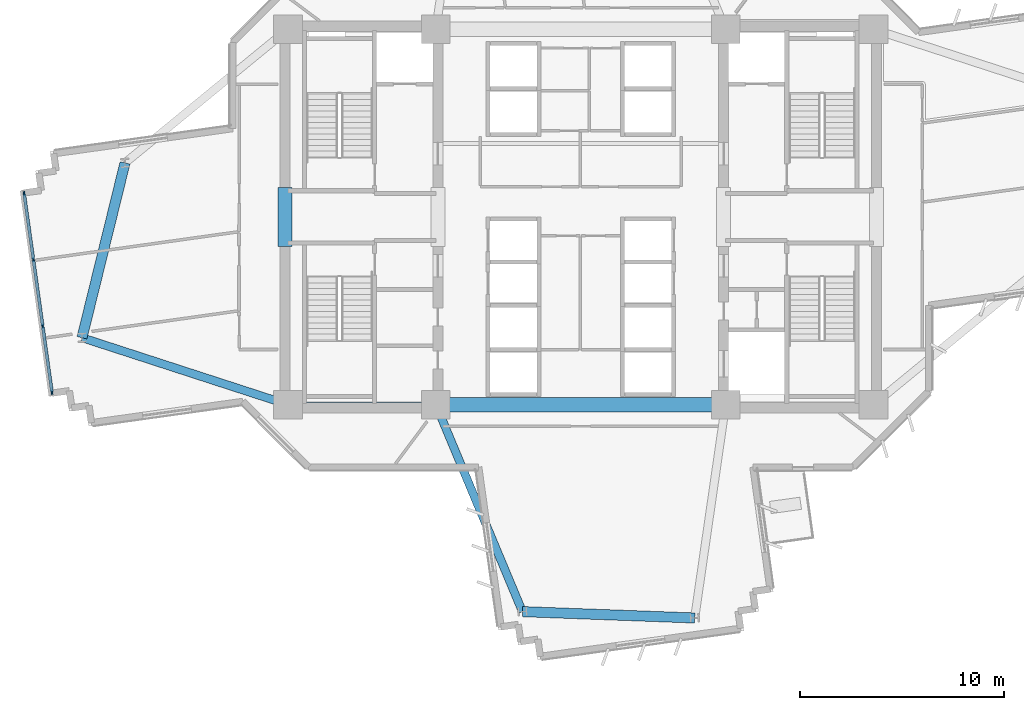
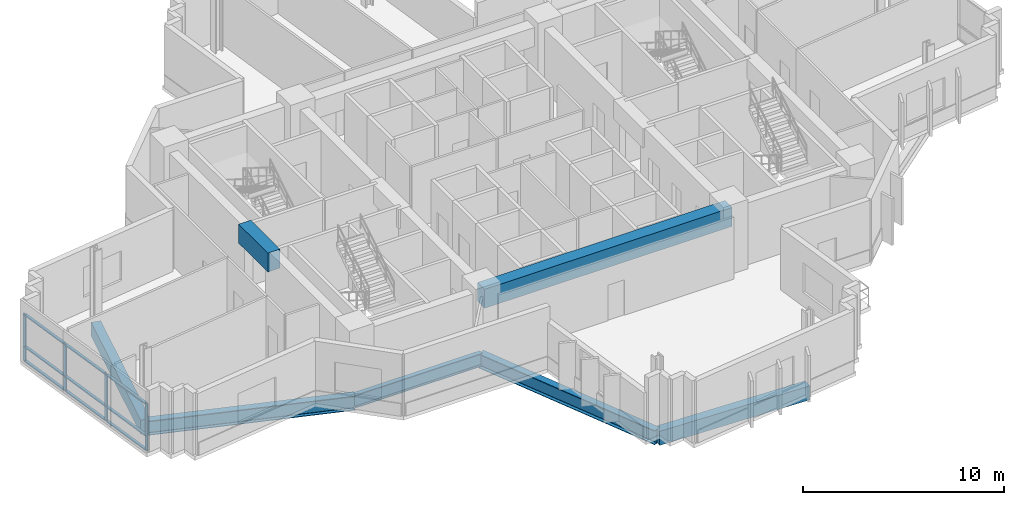
# One storey, part 2 of 14: 13 members, 7 beams, 1 element without a shape of its own.
"""IFC4 building model written with IfcOpenShell, lengths in metres."""

from ifc_helpers import new_model, si_unit, direction, frame, origin, origin_2d, place, context, subcontext, project, spatial, rectangle, i_section, extrude, source, transform, mapped, material, layer, layer_set, material_profile, profile_set, type_object, element, aggregate, save


model = new_model("IFC4")

# Units and contexts
model_context = context("Model", 3, precision=1e-05, world=origin(), true_north=direction((0.0, 1.0)))
body_context = subcontext(model_context, "Body", "Model", "MODEL_VIEW")
ifc_project = project(units=[si_unit("LENGTHUNIT", "METRE"), si_unit("AREAUNIT", "SQUARE_METRE"), si_unit("VOLUMEUNIT", "CUBIC_METRE"), si_unit("PLANEANGLEUNIT", "RADIAN"), si_unit("MASSUNIT", "GRAM", prefix="KILO")], contexts=[model_context])

# Site, building, storey
site_placement = place(None, origin())
site = spatial("IfcSite", under=ifc_project, at=site_placement, CompositionType="ELEMENT")
building_placement = place(site_placement, origin())
building = spatial("IfcBuilding", under=site, at=building_placement, Name="Zahravan Cultural Tower", CompositionType="ELEMENT")
storey_placement = place(building_placement, frame((0.0, 0.0, 121.5)))
storey = spatial("IfcBuildingStorey", under=building, at=storey_placement, Name="L27", CompositionType="ELEMENT", Elevation=121.5)

# Beams
ifc_material_1 = material(Name="Concrete C50/60", Category="concrete")
ifc_material_profile_1 = material_profile(ifc_material_1, rectangle(XDim=0.699951171875, YDim=1.14990234375, at=origin_2d()), Name="RC700X1150")
ifc_profile_set_1 = profile_set([ifc_material_profile_1], Name="Concrete C50/60")
beam_type_1 = type_object("IfcBeamType", Name="BM-LN-RC700X1150", PredefinedType="LINTEL", material=ifc_profile_set_1)
shared_shape_1 = source(origin(), body_context, "Body", "SweptSolid", [
    extrude(rectangle(XDim=0.699951171875, YDim=1.14990234375, at=origin_2d()), origin(), (0.0, 0.0, 1.0), 14.2001953125),
])
beam_1_placement = place(storey_placement, frame((28.89990234375, 17.800048828125, 3.175048828125), z_axis=(1.0, 0.0, 0.0), x_axis=(0.0, 1.0, 0.0)))
element("IfcBeam", 1, at=beam_1_placement, inside=storey, type_object=beam_type_1, Name="L27 Beam LN-L27-S", PredefinedType="LINTEL", context=body_context, shape_type="MappedRepresentation", body=[
    mapped(shared_shape_1, transform((0.0, 0.0, 0.0), x_axis=(1.0, 0.0, 0.0), y_axis=(0.0, 1.0, 0.0), z_axis=(0.0, 0.0, 1.0), scale=1.0)),
])
shared_shape_2 = source(origin(), body_context, "Body", "SweptSolid", [
    extrude(rectangle(XDim=0.699951171875, YDim=1.14990234375, at=origin_2d()), origin(), (0.0, 0.0, 1.0), 2.89990234375),
])
beam_2_placement = place(storey_placement, frame((21.5, 25.550048828125, 3.175048828125), z_axis=(0.0, 1.0, 0.0), x_axis=(-1.0, 0.0, 0.0)))
element("IfcBeam", 2, at=beam_2_placement, inside=storey, type_object=beam_type_1, Name="L27 Beam LN-L27-PWW", PredefinedType="LINTEL", context=body_context, shape_type="MappedRepresentation", body=[
    mapped(shared_shape_2, transform((0.0, 0.0, 0.0), x_axis=(1.0, 0.0, 0.0), y_axis=(0.0, 1.0, 0.0), z_axis=(0.0, 0.0, 1.0), scale=1.0)),
])
ifc_material_2 = material(Name="Steel ASTM A992 Grade 50", Category="steel")
ifc_material_profile_2 = material_profile(ifc_material_2, i_section(OverallWidth=0.26611328125, OverallDepth=0.780029296875, WebThickness=0.0166015625, FlangeThickness=0.030029296875, FilletRadius=0.01904296875, at=origin_2d()), Name="W30X148")
ifc_profile_set_2 = profile_set([ifc_material_profile_2], Name="Steel ASTM A992 Grade 50")
beam_type_2 = type_object("IfcBeamType", Name="BM-G-W30X148", PredefinedType="BEAM", material=ifc_profile_set_2)
shared_shape_3 = source(origin(), body_context, "Body", "SweptSolid", [
    extrude(i_section(OverallWidth=0.26611328125, OverallDepth=0.780029296875, WebThickness=0.0166015625, FlangeThickness=0.030029296875, FilletRadius=0.01904296875, at=origin_2d()), origin(), (0.0, 0.0, 1.0), 7.25),
])
beam_3_placement = place(storey_placement, frame((21.64990234375, 17.800048828125, -0.639892578125), z_axis=(1.0, 0.0, 0.0), x_axis=(0.0, 1.0, 0.0)))
element("IfcBeam", 3, at=beam_3_placement, inside=storey, type_object=beam_type_2, Name="L27 Beam BG-L27-01", PredefinedType="BEAM", context=body_context, shape_type="MappedRepresentation", body=[
    mapped(shared_shape_3, transform((0.0, 0.0, 0.0), x_axis=(1.0, 0.0, 0.0), y_axis=(0.0, 1.0, 0.0), z_axis=(0.0, 0.0, 1.0), scale=1.0)),
])
ifc_material_profile_3 = material_profile(ifc_material_1, rectangle(XDim=0.5, YDim=0.85009765625, at=origin_2d()), Name="RC500X850")
ifc_profile_set_3 = profile_set([ifc_material_profile_3], Name="Concrete C50/60")
beam_type_3 = type_object("IfcBeamType", Name="BM-SP-RC500X850", PredefinedType="SPANDREL", material=ifc_profile_set_3)
shared_shape_4 = source(origin(), body_context, "Body", "SweptSolid", [
    extrude(rectangle(XDim=0.5, YDim=0.85009765625, at=origin_2d()), origin(), (0.0, 0.0, 1.0), 8.4482421875),
])
beam_4_placement = place(storey_placement, frame((33.142578125, 7.653564453125, -0.675048828125), z_axis=(0.999318826256, -0.036903705643, 0.0), x_axis=(0.036903705643, 0.999318826256, 0.0)))
element("IfcBeam", 4, at=beam_4_placement, inside=storey, type_object=beam_type_3, Name="L27 Beam SP-L27-15", PredefinedType="SPANDREL", context=body_context, shape_type="MappedRepresentation", body=[
    mapped(shared_shape_4, transform((0.0, 0.0, 0.0), x_axis=(1.0, 0.0, 0.0), y_axis=(0.0, 1.0, 0.0), z_axis=(0.0, 0.0, 1.0), scale=1.0)),
])
shared_shape_5 = source(origin(), body_context, "Body", "SweptSolid", [
    extrude(rectangle(XDim=0.5, YDim=0.85009765625, at=origin_2d()), origin(), (0.0, 0.0, 1.0), 8.8232421875),
])
beam_5_placement = place(storey_placement, frame((13.660888671875, 29.648193359375, -0.675048828125), z_axis=(-0.238848860516, -0.971056755206, 0.0), x_axis=(0.971056755206, -0.238848860516, 0.0)))
element("IfcBeam", 5, at=beam_5_placement, inside=storey, type_object=beam_type_3, Name="L27 Beam SP-L27-18", PredefinedType="SPANDREL", context=body_context, shape_type="MappedRepresentation", body=[
    mapped(shared_shape_5, transform((0.0, 0.0, 0.0), x_axis=(1.0, 0.0, 0.0), y_axis=(0.0, 1.0, 0.0), z_axis=(0.0, 0.0, 1.0), scale=1.0)),
])
ifc_material_profile_4 = material_profile(ifc_material_2, i_section(OverallWidth=0.39990234375, OverallDepth=0.862060546875, WebThickness=0.019775390625, FlangeThickness=0.032470703125, FilletRadius=0.02001953125, at=origin_2d()), Name="W33X221")
ifc_profile_set_4 = profile_set([ifc_material_profile_4], Name="Steel ASTM A992 Grade 50")
beam_type_4 = type_object("IfcBeamType", Name="BM-G-W33X221", PredefinedType="BEAM", material=ifc_profile_set_4)
shared_shape_6 = source(origin(), body_context, "Body", "SweptSolid", [
    extrude(i_section(OverallWidth=0.39990234375, OverallDepth=0.862060546875, WebThickness=0.019775390625, FlangeThickness=0.032470703125, FilletRadius=0.02001953125, at=origin_2d()), origin(), (0.0, 0.0, 1.0), 10.615966796875),
])
beam_6_placement = place(storey_placement, frame((21.64990234375, 17.800048828125, -0.680908203125), z_axis=(-0.951063640083, 0.30899506875, 0.0), x_axis=(-0.30899506875, -0.951063640083, 0.0)))
element("IfcBeam", 6, at=beam_6_placement, inside=storey, type_object=beam_type_4, Name="L27 Beam BG-L27-07", PredefinedType="BEAM", context=body_context, shape_type="MappedRepresentation", body=[
    mapped(shared_shape_6, transform((0.0, 0.0, 0.0), x_axis=(1.0, 0.0, 0.0), y_axis=(0.0, 1.0, 0.0), z_axis=(0.0, 0.0, 1.0), scale=1.0)),
])
shared_shape_7 = source(origin(), body_context, "Body", "SweptSolid", [
    extrude(i_section(OverallWidth=0.39990234375, OverallDepth=0.862060546875, WebThickness=0.019775390625, FlangeThickness=0.032470703125, FilletRadius=0.02001953125, at=origin_2d()), origin(), (0.0, 0.0, 1.0), 10.997802734375),
])
beam_7_placement = place(storey_placement, frame((28.89990234375, 17.800048828125, -0.680908203125), z_axis=(0.385775211449, -0.922592806297, 0.0), x_axis=(0.922592806297, 0.385775211449, 0.0)))
element("IfcBeam", 7, at=beam_7_placement, inside=storey, type_object=beam_type_4, Name="L27 Beam BG-L27-08", PredefinedType="BEAM", context=body_context, shape_type="MappedRepresentation", body=[
    mapped(shared_shape_7, transform((0.0, 0.0, 0.0), x_axis=(1.0, 0.0, 0.0), y_axis=(0.0, 1.0, 0.0), z_axis=(0.0, 0.0, 1.0), scale=1.0)),
])

# Curtain wall, members
ifc_material_3 = material(Name="Anodised bronze-aluminium mullion", Category="aluminium")
ifc_layer = layer(ifc_material_3, 0.199951171875)
ifc_layer_set = layer_set([ifc_layer], Name="Anodised bronze-aluminium mullion")
curtain_wall_type = type_object("IfcCurtainWallType", Name="CW-SYS-2", PredefinedType="USERDEFINED", material=ifc_layer_set)
curtain_wall_placement = place(storey_placement, origin())
curtain_wall = element("IfcCurtainWall", 8, at=curtain_wall_placement, inside=storey, type_object=curtain_wall_type, Name="L27 Recessed Curtain Wall CW-2.2", ObjectType="RECESSED GLAZING", PredefinedType="USERDEFINED")
ifc_material_profile_5 = material_profile(ifc_material_3, rectangle(XDim=0.14990234375, YDim=0.074951171875, at=origin_2d()), Name="AL-T75X150")
ifc_profile_set_5 = profile_set([ifc_material_profile_5], Name="Anodised bronze-aluminium mullion")
member_type_1 = type_object("IfcMemberType", Name="CWT-CW-2", PredefinedType="USERDEFINED", material=ifc_profile_set_5)
shared_shape_8 = source(origin(), body_context, "Body", "SweptSolid", [
    extrude(rectangle(XDim=0.14990234375, YDim=0.074951171875, at=origin_2d()), origin(), (0.0, 0.0, 1.0), 3.1943359375),
])
member_1_placement = place(storey_placement, frame((10.078369140625, 18.433349609375, 0.03759765625), z_axis=(-0.138874223924, 0.990310027178, 0.0), x_axis=(-0.990310027178, -0.138874223924, 0.0)))
member_1 = element("IfcMember", 9, at=member_1_placement, type_object=member_type_1, Name="CW-2 transom 1.1", ObjectType="TRANSOM", PredefinedType="USERDEFINED", context=body_context, shape_type="MappedRepresentation", body=[
    mapped(shared_shape_8, transform((0.0, 0.0, 0.0), x_axis=(1.0, 0.0, 0.0), y_axis=(0.0, 1.0, 0.0), z_axis=(0.0, 0.0, 1.0), scale=1.0)),
])
member_2_placement = place(storey_placement, frame((10.078369140625, 18.433349609375, 0.89990234375), z_axis=(-0.138874223924, 0.990310027178, 0.0), x_axis=(-0.990310027178, -0.138874223924, 0.0)))
member_2 = element("IfcMember", 10, at=member_2_placement, type_object=member_type_1, Name="CW-2 transom 1.2", ObjectType="TRANSOM", PredefinedType="USERDEFINED", context=body_context, shape_type="MappedRepresentation", body=[
    mapped(shared_shape_8, transform((0.0, 0.0, 0.0), x_axis=(1.0, 0.0, 0.0), y_axis=(0.0, 1.0, 0.0), z_axis=(0.0, 0.0, 1.0), scale=1.0)),
])
member_3_placement = place(storey_placement, frame((10.078369140625, 18.433349609375, 2.83251953125), z_axis=(-0.138874223924, 0.990310027178, 0.0), x_axis=(-0.990310027178, -0.138874223924, 0.0)))
member_3 = element("IfcMember", 11, at=member_3_placement, type_object=member_type_1, Name="CW-2 transom 1.3", ObjectType="TRANSOM", PredefinedType="USERDEFINED", context=body_context, shape_type="MappedRepresentation", body=[
    mapped(shared_shape_8, transform((0.0, 0.0, 0.0), x_axis=(1.0, 0.0, 0.0), y_axis=(0.0, 1.0, 0.0), z_axis=(0.0, 0.0, 1.0), scale=1.0)),
])
member_4_placement = place(storey_placement, frame((9.165283203125, 24.945556640625, 0.03759765625), z_axis=(-0.13879926627, 0.990320535828, 0.0), x_axis=(-0.990320535828, -0.13879926627, 0.0)))
member_4 = element("IfcMember", 12, at=member_4_placement, type_object=member_type_1, Name="CW-2 transom 3.1", ObjectType="TRANSOM", PredefinedType="USERDEFINED", context=body_context, shape_type="MappedRepresentation", body=[
    mapped(shared_shape_8, transform((0.0, 0.0, 0.0), x_axis=(1.0, 0.0, 0.0), y_axis=(0.0, 1.0, 0.0), z_axis=(0.0, 0.0, 1.0), scale=1.0)),
])
member_5_placement = place(storey_placement, frame((9.165283203125, 24.945556640625, 0.89990234375), z_axis=(-0.13879926627, 0.990320535828, 0.0), x_axis=(-0.990320535828, -0.13879926627, 0.0)))
member_5 = element("IfcMember", 13, at=member_5_placement, type_object=member_type_1, Name="CW-2 transom 3.2", ObjectType="TRANSOM", PredefinedType="USERDEFINED", context=body_context, shape_type="MappedRepresentation", body=[
    mapped(shared_shape_8, transform((0.0, 0.0, 0.0), x_axis=(1.0, 0.0, 0.0), y_axis=(0.0, 1.0, 0.0), z_axis=(0.0, 0.0, 1.0), scale=1.0)),
])
member_6_placement = place(storey_placement, frame((9.165283203125, 24.945556640625, 2.83251953125), z_axis=(-0.13879926627, 0.990320535828, 0.0), x_axis=(-0.990320535828, -0.13879926627, 0.0)))
member_6 = element("IfcMember", 14, at=member_6_placement, type_object=member_type_1, Name="CW-2 transom 3.3", ObjectType="TRANSOM", PredefinedType="USERDEFINED", context=body_context, shape_type="MappedRepresentation", body=[
    mapped(shared_shape_8, transform((0.0, 0.0, 0.0), x_axis=(1.0, 0.0, 0.0), y_axis=(0.0, 1.0, 0.0), z_axis=(0.0, 0.0, 1.0), scale=1.0)),
])
shared_shape_9 = source(origin(), body_context, "Body", "SweptSolid", [
    extrude(rectangle(XDim=0.14990234375, YDim=0.074951171875, at=origin_2d()), origin(), (0.0, 0.0, 1.0), 3.231689453125),
])
member_7_placement = place(storey_placement, frame((9.62451171875, 21.6708984375, 0.03759765625), z_axis=(-0.138850854592, 0.99031330405, 0.0), x_axis=(-0.99031330405, -0.138850854592, 0.0)))
member_7 = element("IfcMember", 15, at=member_7_placement, type_object=member_type_1, Name="CW-2 transom 2.1", ObjectType="TRANSOM", PredefinedType="USERDEFINED", context=body_context, shape_type="MappedRepresentation", body=[
    mapped(shared_shape_9, transform((0.0, 0.0, 0.0), x_axis=(1.0, 0.0, 0.0), y_axis=(0.0, 1.0, 0.0), z_axis=(0.0, 0.0, 1.0), scale=1.0)),
])
member_8_placement = place(storey_placement, frame((9.62451171875, 21.6708984375, 0.89990234375), z_axis=(-0.138850854592, 0.99031330405, 0.0), x_axis=(-0.99031330405, -0.138850854592, 0.0)))
member_8 = element("IfcMember", 16, at=member_8_placement, type_object=member_type_1, Name="CW-2 transom 2.2", ObjectType="TRANSOM", PredefinedType="USERDEFINED", context=body_context, shape_type="MappedRepresentation", body=[
    mapped(shared_shape_9, transform((0.0, 0.0, 0.0), x_axis=(1.0, 0.0, 0.0), y_axis=(0.0, 1.0, 0.0), z_axis=(0.0, 0.0, 1.0), scale=1.0)),
])
member_9_placement = place(storey_placement, frame((9.62451171875, 21.6708984375, 2.83251953125), z_axis=(-0.138850854592, 0.99031330405, 0.0), x_axis=(-0.99031330405, -0.138850854592, 0.0)))
member_9 = element("IfcMember", 17, at=member_9_placement, type_object=member_type_1, Name="CW-2 transom 2.3", ObjectType="TRANSOM", PredefinedType="USERDEFINED", context=body_context, shape_type="MappedRepresentation", body=[
    mapped(shared_shape_9, transform((0.0, 0.0, 0.0), x_axis=(1.0, 0.0, 0.0), y_axis=(0.0, 1.0, 0.0), z_axis=(0.0, 0.0, 1.0), scale=1.0)),
])
ifc_material_profile_6 = material_profile(ifc_material_3, rectangle(XDim=0.074951171875, YDim=0.199951171875, at=origin_2d()), Name="AL-M75X200")
ifc_profile_set_6 = profile_set([ifc_material_profile_6], Name="Anodised bronze-aluminium mullion")
member_type_2 = type_object("IfcMemberType", Name="CWM-CW-2", PredefinedType="MULLION", material=ifc_profile_set_6)
shared_shape_10 = source(origin(), body_context, "Body", "SweptSolid", [
    extrude(rectangle(XDim=0.074951171875, YDim=0.199951171875, at=origin_2d()), origin(), (0.0, 0.0, 1.0), 2.8701171875),
])
member_10_placement = place(storey_placement, frame((10.08349609375, 18.396240234375, 0.0), z_axis=(0.0, 0.0, 1.0), x_axis=(-0.99031626157, -0.138829759313, 0.0)))
member_10 = element("IfcMember", 18, at=member_10_placement, type_object=member_type_2, Name="CW-2 mullion 1", PredefinedType="MULLION", context=body_context, shape_type="MappedRepresentation", body=[
    mapped(shared_shape_10, transform((0.0, 0.0, 0.0), x_axis=(1.0, 0.0, 0.0), y_axis=(0.0, 1.0, 0.0), z_axis=(0.0, 0.0, 1.0), scale=1.0)),
])
member_11_placement = place(storey_placement, frame((9.629638671875, 21.6337890625, 0.0), z_axis=(0.0, 0.0, 1.0), x_axis=(-0.99031626157, -0.138829759313, 0.0)))
member_11 = element("IfcMember", 19, at=member_11_placement, type_object=member_type_2, Name="CW-2 mullion 2", PredefinedType="MULLION", context=body_context, shape_type="MappedRepresentation", body=[
    mapped(shared_shape_10, transform((0.0, 0.0, 0.0), x_axis=(1.0, 0.0, 0.0), y_axis=(0.0, 1.0, 0.0), z_axis=(0.0, 0.0, 1.0), scale=1.0)),
])
member_12_placement = place(storey_placement, frame((9.170654296875, 24.908447265625, 0.0), z_axis=(0.0, 0.0, 1.0), x_axis=(-0.99031626157, -0.138829759313, 0.0)))
member_12 = element("IfcMember", 20, at=member_12_placement, type_object=member_type_2, Name="CW-2 mullion 3", PredefinedType="MULLION", context=body_context, shape_type="MappedRepresentation", body=[
    mapped(shared_shape_10, transform((0.0, 0.0, 0.0), x_axis=(1.0, 0.0, 0.0), y_axis=(0.0, 1.0, 0.0), z_axis=(0.0, 0.0, 1.0), scale=1.0)),
])
member_13_placement = place(storey_placement, frame((8.716796875, 28.14599609375, 0.0), z_axis=(0.0, 0.0, 1.0), x_axis=(-0.99031626157, -0.138829759313, 0.0)))
member_13 = element("IfcMember", 21, at=member_13_placement, type_object=member_type_2, Name="CW-2 mullion 4", PredefinedType="MULLION", context=body_context, shape_type="MappedRepresentation", body=[
    mapped(shared_shape_10, transform((0.0, 0.0, 0.0), x_axis=(1.0, 0.0, 0.0), y_axis=(0.0, 1.0, 0.0), z_axis=(0.0, 0.0, 1.0), scale=1.0)),
])
aggregate(curtain_wall, [member_10, member_11, member_12, member_13, member_1, member_2, member_3, member_7, member_8, member_9, member_4, member_5, member_6])

save(model, "model.ifc")
